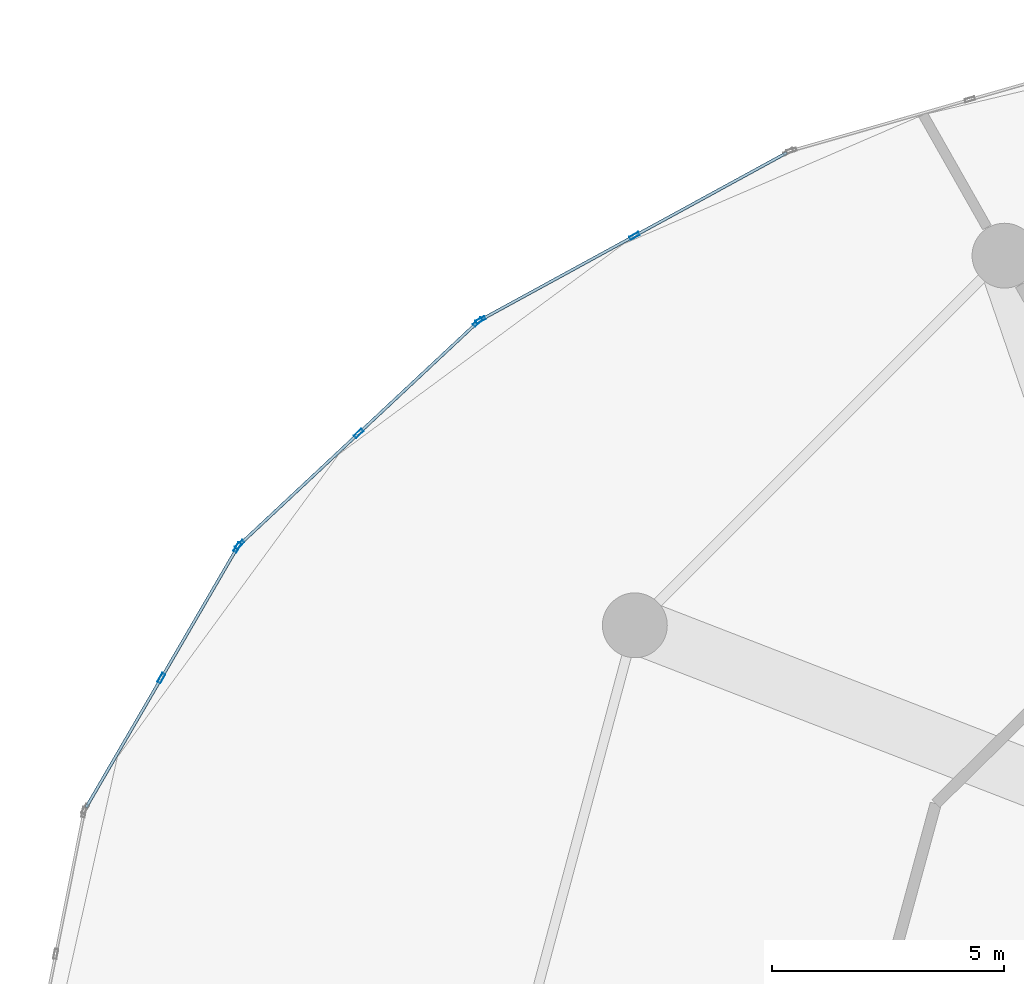
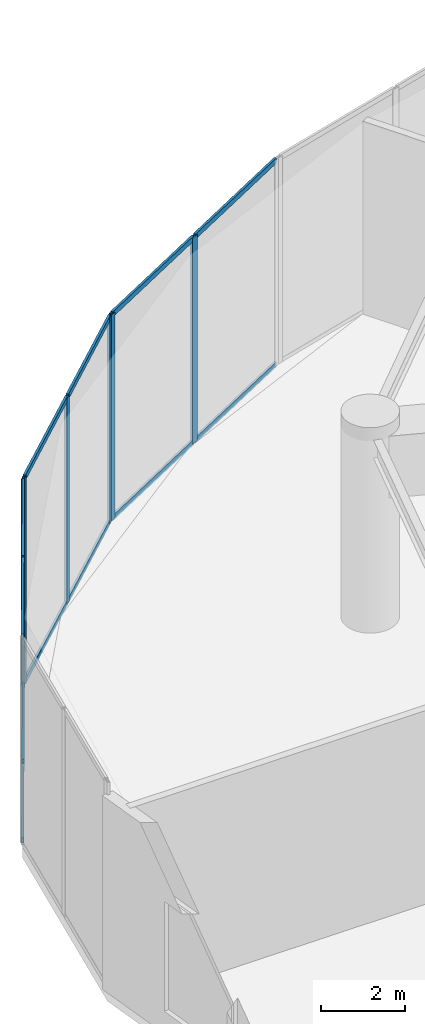
# One storey, part 14 of 28: 19 members, 3 elements without a shape of their own.
"""IFC4 building model written with IfcOpenShell, lengths in metres."""

import ifcopenshell
import ifcopenshell.guid

model = None  # the IFC model being written
_history = None  # IfcOwnerHistory: only IFC2X3 demands one
_inside = {}  # id of a spatial element -> (the spatial element, [elements in it])
_under = {}  # id of a project, library or spatial element -> (it, [spatial elements below it])
_declared = {}  # id of a project -> (the project, [libraries it declares])
_typed = {}  # id of a type object -> (the type object, [elements of that type])
_made_of = {}  # id of a material, layer set ... -> (it, [elements and type objects made of it])


def new_model(schema):
    """Start an empty IFC model of exactly this schema.

    Asked for "IFC4X3", IfcOpenShell would pick the latest addendum, in which some entities
    have other attributes; the version numbers below select the first issue.
    IFC2X3 requires an IfcOwnerHistory on every rooted entity: one is made here for all.
    """
    global model, _history
    if schema == "IFC4X3":
        model = ifcopenshell.file(schema_version=(4, 3, 0, 0))
    else:
        model = ifcopenshell.file(schema=schema)
    _inside.clear()
    _under.clear()
    _declared.clear()
    _typed.clear()
    _made_of.clear()
    _history = None
    if model.schema == "IFC2X3":
        org = make("IfcOrganization", Name="unknown")
        user = make(
            "IfcPersonAndOrganization",
            ThePerson=make("IfcPerson", FamilyName="unknown"),
            TheOrganization=org,
        )
        app = make(
            "IfcApplication",
            ApplicationDeveloper=org,
            Version="unknown",
            ApplicationFullName="unknown",
            ApplicationIdentifier="unknown",
        )
        _history = make(
            "IfcOwnerHistory",
            OwningUser=user,
            OwningApplication=app,
            ChangeAction="ADDED",
            CreationDate=0,
        )
    return model


def make(cls, **values):
    """One entity of the class cls with the attributes given. An attribute that is None is left unset."""
    return model.create_entity(
        cls, **{name: value for name, value in values.items() if value is not None}
    )


def rooted(cls, **values):
    """An entity with a GlobalId (a new one), such as an element, a storey or a relation."""
    return make(cls, GlobalId=ifcopenshell.guid.new(), OwnerHistory=_history, **values)


def si_unit(unit_type, name, prefix=None):
    """IfcSIUnit, for example si_unit("LENGTHUNIT", "METRE", prefix="MILLI")."""
    return make("IfcSIUnit", UnitType=unit_type, Prefix=prefix, Name=name)


def assignment(units):
    """IfcUnitAssignment: the units of a project."""
    return None if units is None else make("IfcUnitAssignment", Units=units)


def point(xyz):
    """IfcCartesianPoint."""
    return None if xyz is None else make("IfcCartesianPoint", Coordinates=xyz)


def direction(xyz):
    """IfcDirection."""
    return None if xyz is None else make("IfcDirection", DirectionRatios=xyz)


def frame(location, z_axis=None, x_axis=None):
    """IfcAxis2Placement3D, a coordinate frame: its origin and axes. An axis left out is left unset."""
    return make(
        "IfcAxis2Placement3D",
        Location=point(location),
        Axis=direction(z_axis),
        RefDirection=direction(x_axis),
    )


def frame_2d(location, x_axis=None):
    """IfcAxis2Placement2D, a coordinate frame in the plane: its origin and x axis."""
    return make(
        "IfcAxis2Placement2D", Location=point(location), RefDirection=direction(x_axis)
    )


def origin():
    """The frame at (0, 0, 0) with its axes left unset."""
    return frame((0.0, 0.0, 0.0))


def origin_2d():
    """The frame at (0, 0) in the plane with its x axis left unset."""
    return frame_2d((0.0, 0.0))


def place(relative_to, where):
    """IfcLocalPlacement: puts the frame where relative to a parent placement (None: the world)."""
    return make(
        "IfcLocalPlacement", PlacementRelTo=relative_to, RelativePlacement=where
    )


def context(
    kind, dimensions, precision=None, world=None, true_north=None, identifier=None
):
    """IfcGeometricRepresentationContext, for example the 3D "Model" context."""
    return make(
        "IfcGeometricRepresentationContext",
        ContextIdentifier=identifier,
        ContextType=kind,
        CoordinateSpaceDimension=dimensions,
        Precision=precision,
        WorldCoordinateSystem=world,
        TrueNorth=true_north,
    )


def subcontext(parent, identifier, kind, view, scale=None):
    """IfcGeometricRepresentationSubContext, for example "Body" below "Model"."""
    return make(
        "IfcGeometricRepresentationSubContext",
        ContextIdentifier=identifier,
        ContextType=kind,
        ParentContext=parent,
        TargetScale=scale,
        TargetView=view,
    )


def project(units=None, contexts=None):
    """IfcProject with its units and contexts."""
    return rooted(
        "IfcProject",
        Name="project",
        RepresentationContexts=contexts,
        UnitsInContext=assignment(units),
    )


def spatial(cls, under=None, at=None, **own):
    """A site, building, storey or space (cls), placed at a placement, below another one or the project."""
    s = rooted(cls, ObjectPlacement=at, **own)
    if under is not None:
        _under.setdefault(under.id(), (under, []))[1].append(s)
    return s


def profile(cls, at=None, kind="AREA", **sizes):
    """A parametric profile (cls). Its sizes go by their IFC names, for example OverallWidth=200.0."""
    return make(cls, ProfileType=kind, Position=at, **sizes)


def hollow_rectangle(**sizes):
    """IfcRectangleHollowProfileDef."""
    return profile("IfcRectangleHollowProfileDef", **sizes)


def extrude(swept, where, along, depth):
    """IfcExtrudedAreaSolid: the profile swept, set in the frame where, extruded along a direction by depth."""
    return make(
        "IfcExtrudedAreaSolid",
        SweptArea=swept,
        Position=where,
        ExtrudedDirection=direction(along),
        Depth=depth,
    )


def shape(context_of_items, identifier, shape_type, items):
    """IfcShapeRepresentation: the items that make up one representation, for example the "Body"."""
    return make(
        "IfcShapeRepresentation",
        ContextOfItems=context_of_items,
        RepresentationIdentifier=identifier,
        RepresentationType=shape_type,
        Items=items,
    )


def source(mapping_origin, context_of_items, identifier, shape_type, items):
    """IfcRepresentationMap: a shape defined once, which mapped items show again and again."""
    return make(
        "IfcRepresentationMap",
        MappingOrigin=mapping_origin,
        MappedRepresentation=shape(context_of_items, identifier, shape_type, items),
    )


def transform(
    local_origin,
    x_axis=None,
    y_axis=None,
    z_axis=None,
    scale=None,
    scale2=None,
    scale3=None,
    uniform=True,
):
    """IfcCartesianTransformationOperator3D, or its non-uniform kind. x_axis, y_axis, z_axis: its Axis1, 2, 3."""
    if uniform:
        return make(
            "IfcCartesianTransformationOperator3D",
            Axis1=direction(x_axis),
            Axis2=direction(y_axis),
            LocalOrigin=point(local_origin),
            Scale=scale,
            Axis3=direction(z_axis),
        )
    return make(
        "IfcCartesianTransformationOperator3DnonUniform",
        Axis1=direction(x_axis),
        Axis2=direction(y_axis),
        LocalOrigin=point(local_origin),
        Scale=scale,
        Axis3=direction(z_axis),
        Scale2=scale2,
        Scale3=scale3,
    )


def mapped(mapping_source, mapping_target):
    """IfcMappedItem: shows the shape of a source again, moved by a transform."""
    return make(
        "IfcMappedItem", MappingSource=mapping_source, MappingTarget=mapping_target
    )


def material(Name=None, Category=None):
    """IfcMaterial."""
    return make("IfcMaterial", Name=Name, Category=Category)


def layer(
    of_material, thickness, ventilated=None, Name=None, Category=None, Priority=None
):
    """IfcMaterialLayer: one layer of a wall or slab, of a material (None: an air gap)."""
    return make(
        "IfcMaterialLayer",
        Material=of_material,
        LayerThickness=thickness,
        IsVentilated=ventilated,
        Name=Name,
        Category=Category,
        Priority=Priority,
    )


def layer_set(layers, Name=None):
    """IfcMaterialLayerSet."""
    return make("IfcMaterialLayerSet", MaterialLayers=layers, LayerSetName=Name)


def material_profile(
    of_material, cross_section, Name=None, Category=None, Priority=None
):
    """IfcMaterialProfile: a cross section and its material."""
    return make(
        "IfcMaterialProfile",
        Name=Name,
        Material=of_material,
        Profile=cross_section,
        Priority=Priority,
        Category=Category,
    )


def profile_set(profiles, Name=None, composite=None):
    """IfcMaterialProfileSet."""
    return make(
        "IfcMaterialProfileSet",
        Name=Name,
        MaterialProfiles=profiles,
        CompositeProfile=composite,
    )


def made_of(thing, what):
    """Note that an element or type object is made of a material, layer set ...; save() writes the relation."""
    if what is not None:
        _made_of.setdefault(what.id(), (what, []))[1].append(thing)
    return thing


def type_object(cls, material=None, **own):
    """A type object (cls), such as IfcWallType, which elements share."""
    return made_of(rooted(cls, **own), material)


def element(
    cls,
    number,
    at=None,
    inside=None,
    cuts=None,
    type_object=None,
    material=None,
    context=None,
    identifier="Body",
    shape_type=None,
    held_by="IfcProductDefinitionShape",
    body=None,
    shapes=None,
    **own,
):
    """One element of the class cls, such as IfcWall. Its Tag is "e" and its number.

    at: its placement. inside: the storey or other place that contains it. cuts: it is an
    opening in that element (IfcRelVoidsElement). A single representation is given by context,
    identifier, shape_type and body (its items); several are given by shapes. held_by: the class
    of the entity that holds the representations. save() writes the other relations.
    """
    e = rooted(cls, Tag="e%d" % number, ObjectPlacement=at, **own)
    if body is not None:
        shapes = [shape(context, identifier, shape_type, body)]
    if shapes is not None:
        e.Representation = make(held_by, Representations=shapes)
    if inside is not None:
        _inside.setdefault(inside.id(), (inside, []))[1].append(e)
    if cuts is not None:
        rooted(
            "IfcRelVoidsElement", RelatingBuildingElement=cuts, RelatedOpeningElement=e
        )
    if type_object is not None:
        _typed.setdefault(type_object.id(), (type_object, []))[1].append(e)
    return made_of(e, material)


def aggregate(whole, parts):
    """IfcRelAggregates: a whole, such as a stair, and the parts it consists of."""
    return rooted("IfcRelAggregates", RelatingObject=whole, RelatedObjects=parts)


def save(model, path):
    """Write the relations noted so far, then the file.

    IfcRelAggregates (storeys below a building ...), IfcRelContainedInSpatialStructure (elements
    in a storey), IfcRelDefinesByType, IfcRelAssociatesMaterial and IfcRelDeclares: one each for
    every whole, place, type object, material and project.
    """
    for whole, parts in _under.values():
        aggregate(whole, parts)
    for where, things in _inside.values():
        rooted(
            "IfcRelContainedInSpatialStructure",
            RelatedElements=things,
            RelatingStructure=where,
        )
    for kind, things in _typed.values():
        rooted("IfcRelDefinesByType", RelatedObjects=things, RelatingType=kind)
    for what, things in _made_of.values():
        rooted("IfcRelAssociatesMaterial", RelatedObjects=things, RelatingMaterial=what)
    for by, libraries in _declared.values():
        rooted("IfcRelDeclares", RelatingContext=by, RelatedDefinitions=libraries)
    model.write(path)


model = new_model("IFC4")

# Units and contexts
model_context = context("Model", 3, precision=1e-05, world=origin(), true_north=direction((0.0, 1.0)))
body_context = subcontext(model_context, "Body", "Model", "MODEL_VIEW")
ifc_project = project(units=[si_unit("LENGTHUNIT", "METRE"), si_unit("AREAUNIT", "SQUARE_METRE"), si_unit("VOLUMEUNIT", "CUBIC_METRE"), si_unit("PLANEANGLEUNIT", "RADIAN"), si_unit("MASSUNIT", "GRAM", prefix="KILO")], contexts=[model_context])

# Site, building, storey
site_placement = place(None, origin())
site = spatial("IfcSite", under=ifc_project, at=site_placement, CompositionType="ELEMENT")
building_placement = place(site_placement, origin())
building = spatial("IfcBuilding", under=site, at=building_placement, Name="Solvirekh Grand Hotel", CompositionType="ELEMENT")
storey_placement = place(building_placement, frame((0.0, 0.0, 12.60009765625)))
storey = spatial("IfcBuildingStorey", under=building, at=storey_placement, Name="L02", CompositionType="ELEMENT", Elevation=12.60009765625)

# Curtain wall, members
ifc_material = material(Name="Anodized Bronze Aluminium 6063-T6", Category="aluminium")
ifc_layer = layer(ifc_material, 0.219970703125)
ifc_layer_set = layer_set([ifc_layer], Name="Anodized Bronze Aluminium 6063-T6")
curtain_wall_type = type_object("IfcCurtainWallType", Name="CW_Sys1_PodiumBronzeUnitised", PredefinedType="NOTDEFINED", material=ifc_layer_set)
curtain_wall_1_placement = place(storey_placement, origin())
curtain_wall_1 = element("IfcCurtainWall", 1, at=curtain_wall_1_placement, inside=storey, type_object=curtain_wall_type, Name="L02 unitised bronze-glass curtain wall CW-L02-C10", PredefinedType="NOTDEFINED")
ifc_material_profile_1 = material_profile(ifc_material, hollow_rectangle(XDim=0.06494140625, YDim=0.14990234375, WallThickness=0.0048828125, at=origin_2d()), Name="ALU RHS 150X65X5")
ifc_profile_set_1 = profile_set([ifc_material_profile_1], Name="Anodized Bronze Aluminium 6063-T6")
member_type_1 = type_object("IfcMemberType", Name="CWTransom_Sys1", PredefinedType="USERDEFINED", material=ifc_profile_set_1)
shared_shape_1 = source(origin(), body_context, "Body", "SweptSolid", [
    extrude(hollow_rectangle(XDim=0.06494140625, YDim=0.14990234375, WallThickness=0.0048828125, at=origin_2d()), origin(), (0.0, 0.0, 1.0), 3.443115234375),
])
member_1_placement = place(storey_placement, frame((-22.2978515625, 17.4208984375, 0.032470703125), z_axis=(-0.730496178915, -0.682916783064, 0.0), x_axis=(0.682916783064, -0.730496178915, 0.0)))
member_1 = element("IfcMember", 2, at=member_1_placement, type_object=member_type_1, Name="U01 transom 1.1", ObjectType="TRANSOM", PredefinedType="USERDEFINED", context=body_context, shape_type="MappedRepresentation", body=[
    mapped(shared_shape_1, transform((0.0, 0.0, 0.0), x_axis=(1.0, 0.0, 0.0), y_axis=(0.0, 1.0, 0.0), z_axis=(0.0, 0.0, 1.0), scale=1.0)),
])
member_2_placement = place(storey_placement, frame((-22.2978515625, 17.4208984375, 5.96728515625), z_axis=(-0.730496178915, -0.682916783064, 0.0), x_axis=(0.682916783064, -0.730496178915, 0.0)))
member_2 = element("IfcMember", 3, at=member_2_placement, type_object=member_type_1, Name="U01 transom 1.2", ObjectType="TRANSOM", PredefinedType="USERDEFINED", context=body_context, shape_type="MappedRepresentation", body=[
    mapped(shared_shape_1, transform((0.0, 0.0, 0.0), x_axis=(1.0, 0.0, 0.0), y_axis=(0.0, 1.0, 0.0), z_axis=(0.0, 0.0, 1.0), scale=1.0)),
])
member_3_placement = place(storey_placement, frame((-24.867919921875, 15.018310546875, 0.032470703125), z_axis=(-0.73056461868, -0.682843567688, 0.0), x_axis=(0.682843567688, -0.73056461868, 0.0)))
member_3 = element("IfcMember", 4, at=member_3_placement, type_object=member_type_1, Name="U01 transom 2.1", ObjectType="TRANSOM", PredefinedType="USERDEFINED", context=body_context, shape_type="MappedRepresentation", body=[
    mapped(shared_shape_1, transform((0.0, 0.0, 0.0), x_axis=(1.0, 0.0, 0.0), y_axis=(0.0, 1.0, 0.0), z_axis=(0.0, 0.0, 1.0), scale=1.0)),
])
member_4_placement = place(storey_placement, frame((-24.867919921875, 15.018310546875, 5.96728515625), z_axis=(-0.73056461868, -0.682843567688, 0.0), x_axis=(0.682843567688, -0.73056461868, 0.0)))
member_4 = element("IfcMember", 5, at=member_4_placement, type_object=member_type_1, Name="U01 transom 2.2", ObjectType="TRANSOM", PredefinedType="USERDEFINED", context=body_context, shape_type="MappedRepresentation", body=[
    mapped(shared_shape_1, transform((0.0, 0.0, 0.0), x_axis=(1.0, 0.0, 0.0), y_axis=(0.0, 1.0, 0.0), z_axis=(0.0, 0.0, 1.0), scale=1.0)),
])

curtain_wall_2_placement = place(storey_placement, origin())
curtain_wall_2 = element("IfcCurtainWall", 6, at=curtain_wall_2_placement, inside=storey, type_object=curtain_wall_type, Name="L02 unitised bronze-glass curtain wall CW-L02-C09", PredefinedType="NOTDEFINED")
shared_shape_2 = source(origin(), body_context, "Body", "SweptSolid", [
    extrude(hollow_rectangle(XDim=0.06494140625, YDim=0.14990234375, WallThickness=0.0048828125, at=origin_2d()), origin(), (0.0, 0.0, 1.0), 3.710693359375),
])
member_5_placement = place(storey_placement, frame((-15.597900390625, 21.10107421875, 0.032470703125), z_axis=(-0.877641488557, -0.479317658306, 0.0), x_axis=(0.479317658306, -0.877641488557, 0.0)))
member_5 = element("IfcMember", 7, at=member_5_placement, type_object=member_type_1, Name="U01 transom 1.1", ObjectType="TRANSOM", PredefinedType="USERDEFINED", context=body_context, shape_type="MappedRepresentation", body=[
    mapped(shared_shape_2, transform((0.0, 0.0, 0.0), x_axis=(1.0, 0.0, 0.0), y_axis=(0.0, 1.0, 0.0), z_axis=(0.0, 0.0, 1.0), scale=1.0)),
])
member_6_placement = place(storey_placement, frame((-15.597900390625, 21.10107421875, 5.96728515625), z_axis=(-0.877641488557, -0.479317658306, 0.0), x_axis=(0.479317658306, -0.877641488557, 0.0)))
member_6 = element("IfcMember", 8, at=member_6_placement, type_object=member_type_1, Name="U01 transom 1.2", ObjectType="TRANSOM", PredefinedType="USERDEFINED", context=body_context, shape_type="MappedRepresentation", body=[
    mapped(shared_shape_2, transform((0.0, 0.0, 0.0), x_axis=(1.0, 0.0, 0.0), y_axis=(0.0, 1.0, 0.0), z_axis=(0.0, 0.0, 1.0), scale=1.0)),
])
ifc_material_profile_2 = material_profile(ifc_material, hollow_rectangle(XDim=0.074951171875, YDim=0.219970703125, WallThickness=0.006103515625, at=origin_2d()), Name="ALU RHS 220X75X6")
ifc_profile_set_2 = profile_set([ifc_material_profile_2], Name="Anodized Bronze Aluminium 6063-T6")
member_type_2 = type_object("IfcMemberType", Name="CWMullion_Sys1", PredefinedType="MULLION", material=ifc_profile_set_2)
shared_shape_3 = source(origin(), body_context, "Body", "SweptSolid", [
    extrude(hollow_rectangle(XDim=0.074951171875, YDim=0.219970703125, WallThickness=0.006103515625, at=origin_2d()), origin(), (0.0, 0.0, 1.0), 6.0),
])
member_7_placement = place(storey_placement, frame((-18.887451171875, 19.304443359375, 0.0), z_axis=(0.0, 0.0, 1.0), x_axis=(0.479301044448, -0.877650561893, 0.0)))
member_7 = element("IfcMember", 9, at=member_7_placement, type_object=member_type_2, Name="U01 mullion 2", PredefinedType="MULLION", context=body_context, shape_type="MappedRepresentation", body=[
    mapped(shared_shape_3, transform((0.0, 0.0, 0.0), x_axis=(1.0, 0.0, 0.0), y_axis=(0.0, 1.0, 0.0), z_axis=(0.0, 0.0, 1.0), scale=1.0)),
])
member_8_placement = place(storey_placement, frame((-22.210205078125, 17.489990234375, 0.0), z_axis=(0.0, 0.0, 1.0), x_axis=(0.479301044448, -0.877650561893, 0.0)))
member_8 = element("IfcMember", 10, at=member_8_placement, type_object=member_type_2, Name="U01 mullion 3", PredefinedType="MULLION", context=body_context, shape_type="MappedRepresentation", body=[
    mapped(shared_shape_3, transform((0.0, 0.0, 0.0), x_axis=(1.0, 0.0, 0.0), y_axis=(0.0, 1.0, 0.0), z_axis=(0.0, 0.0, 1.0), scale=1.0)),
])

# Member
member_9_placement = place(storey_placement, frame((-22.2705078125, 17.4462890625, 0.0), z_axis=(0.0, 0.0, 1.0), x_axis=(0.682869194888, -0.730540664627, 0.0)))
member_9 = element("IfcMember", 11, at=member_9_placement, type_object=member_type_2, Name="U01 mullion 1", PredefinedType="MULLION", context=body_context, shape_type="MappedRepresentation", body=[
    mapped(shared_shape_3, transform((0.0, 0.0, 0.0), x_axis=(1.0, 0.0, 0.0), y_axis=(0.0, 1.0, 0.0), z_axis=(0.0, 0.0, 1.0), scale=1.0)),
])

member_10_placement = place(storey_placement, frame((-24.840576171875, 15.0439453125, 0.0), z_axis=(0.0, 0.0, 1.0), x_axis=(0.682869194888, -0.730540664627, 0.0)))
member_10 = element("IfcMember", 12, at=member_10_placement, type_object=member_type_2, Name="U01 mullion 2", PredefinedType="MULLION", context=body_context, shape_type="MappedRepresentation", body=[
    mapped(shared_shape_3, transform((0.0, 0.0, 0.0), x_axis=(1.0, 0.0, 0.0), y_axis=(0.0, 1.0, 0.0), z_axis=(0.0, 0.0, 1.0), scale=1.0)),
])

member_11_placement = place(storey_placement, frame((-27.41064453125, 12.6416015625, 0.0), z_axis=(0.0, 0.0, 1.0), x_axis=(0.682869194888, -0.730540664627, 0.0)))
member_11 = element("IfcMember", 13, at=member_11_placement, type_object=member_type_2, Name="U01 mullion 3", PredefinedType="MULLION", context=body_context, shape_type="MappedRepresentation", body=[
    mapped(shared_shape_3, transform((0.0, 0.0, 0.0), x_axis=(1.0, 0.0, 0.0), y_axis=(0.0, 1.0, 0.0), z_axis=(0.0, 0.0, 1.0), scale=1.0)),
])

aggregate(curtain_wall_1, [member_9, member_10, member_11, member_1, member_2, member_3, member_4])

# Curtain wall, members
curtain_wall_3_placement = place(storey_placement, origin())
curtain_wall_3 = element("IfcCurtainWall", 14, at=curtain_wall_3_placement, inside=storey, type_object=curtain_wall_type, Name="L02 unitised bronze-glass curtain wall CW-L02-C11", PredefinedType="NOTDEFINED")
member_12_placement = place(storey_placement, frame((-27.456787109375, 12.58349609375, 0.0), z_axis=(0.0, 0.0, 1.0), x_axis=(0.864354314158, -0.502883306143, 0.0)))
member_12 = element("IfcMember", 15, at=member_12_placement, type_object=member_type_2, Name="U01 mullion 1", PredefinedType="MULLION", context=body_context, shape_type="MappedRepresentation", body=[
    mapped(shared_shape_3, transform((0.0, 0.0, 0.0), x_axis=(1.0, 0.0, 0.0), y_axis=(0.0, 1.0, 0.0), z_axis=(0.0, 0.0, 1.0), scale=1.0)),
])
member_13_placement = place(storey_placement, frame((-29.1005859375, 9.758544921875, 0.0), z_axis=(0.0, 0.0, 1.0), x_axis=(0.864354314158, -0.502883306143, 0.0)))
member_13 = element("IfcMember", 16, at=member_13_placement, type_object=member_type_2, Name="U01 mullion 2", PredefinedType="MULLION", context=body_context, shape_type="MappedRepresentation", body=[
    mapped(shared_shape_3, transform((0.0, 0.0, 0.0), x_axis=(1.0, 0.0, 0.0), y_axis=(0.0, 1.0, 0.0), z_axis=(0.0, 0.0, 1.0), scale=1.0)),
])

# Member
shared_shape_4 = source(origin(), body_context, "Body", "SweptSolid", [
    extrude(hollow_rectangle(XDim=0.06494140625, YDim=0.14990234375, WallThickness=0.0048828125, at=origin_2d()), origin(), (0.0, 0.0, 1.0), 3.7109375),
])
member_14_placement = place(storey_placement, frame((-18.92041015625, 19.28662109375, 0.032470703125), z_axis=(-0.877656603382, -0.479289981682, 0.0), x_axis=(0.479289981682, -0.877656603382, 0.0)))
member_14 = element("IfcMember", 17, at=member_14_placement, type_object=member_type_1, Name="U01 transom 2.1", ObjectType="TRANSOM", PredefinedType="USERDEFINED", context=body_context, shape_type="MappedRepresentation", body=[
    mapped(shared_shape_4, transform((0.0, 0.0, 0.0), x_axis=(1.0, 0.0, 0.0), y_axis=(0.0, 1.0, 0.0), z_axis=(0.0, 0.0, 1.0), scale=1.0)),
])

member_15_placement = place(storey_placement, frame((-18.92041015625, 19.28662109375, 5.96728515625), z_axis=(-0.877656603382, -0.479289981682, 0.0), x_axis=(0.479289981682, -0.877656603382, 0.0)))
member_15 = element("IfcMember", 18, at=member_15_placement, type_object=member_type_1, Name="U01 transom 2.2", ObjectType="TRANSOM", PredefinedType="USERDEFINED", context=body_context, shape_type="MappedRepresentation", body=[
    mapped(shared_shape_4, transform((0.0, 0.0, 0.0), x_axis=(1.0, 0.0, 0.0), y_axis=(0.0, 1.0, 0.0), z_axis=(0.0, 0.0, 1.0), scale=1.0)),
])

aggregate(curtain_wall_2, [member_7, member_8, member_5, member_6, member_14, member_15])

shared_shape_5 = source(origin(), body_context, "Body", "SweptSolid", [
    extrude(hollow_rectangle(XDim=0.06494140625, YDim=0.14990234375, WallThickness=0.0048828125, at=origin_2d()), origin(), (0.0, 0.0, 1.0), 3.193359375),
])
member_16_placement = place(storey_placement, frame((-27.475830078125, 12.55126953125, 0.032470703125), z_axis=(-0.50283438187, -0.864382776558, 0.0), x_axis=(0.864382776558, -0.50283438187, 0.0)))
member_16 = element("IfcMember", 19, at=member_16_placement, type_object=member_type_1, Name="U01 transom 1.1", ObjectType="TRANSOM", PredefinedType="USERDEFINED", context=body_context, shape_type="MappedRepresentation", body=[
    mapped(shared_shape_5, transform((0.0, 0.0, 0.0), x_axis=(1.0, 0.0, 0.0), y_axis=(0.0, 1.0, 0.0), z_axis=(0.0, 0.0, 1.0), scale=1.0)),
])

member_17_placement = place(storey_placement, frame((-27.475830078125, 12.55126953125, 5.96728515625), z_axis=(-0.50283438187, -0.864382776558, 0.0), x_axis=(0.864382776558, -0.50283438187, 0.0)))
member_17 = element("IfcMember", 20, at=member_17_placement, type_object=member_type_1, Name="U01 transom 1.2", ObjectType="TRANSOM", PredefinedType="USERDEFINED", context=body_context, shape_type="MappedRepresentation", body=[
    mapped(shared_shape_5, transform((0.0, 0.0, 0.0), x_axis=(1.0, 0.0, 0.0), y_axis=(0.0, 1.0, 0.0), z_axis=(0.0, 0.0, 1.0), scale=1.0)),
])

member_18_placement = place(storey_placement, frame((-29.119384765625, 9.72607421875, 0.032470703125), z_axis=(-0.502891501356, -0.864349546112, 0.0), x_axis=(0.864349546112, -0.502891501356, 0.0)))
member_18 = element("IfcMember", 21, at=member_18_placement, type_object=member_type_1, Name="U01 transom 2.1", ObjectType="TRANSOM", PredefinedType="USERDEFINED", context=body_context, shape_type="MappedRepresentation", body=[
    mapped(shared_shape_5, transform((0.0, 0.0, 0.0), x_axis=(1.0, 0.0, 0.0), y_axis=(0.0, 1.0, 0.0), z_axis=(0.0, 0.0, 1.0), scale=1.0)),
])

member_19_placement = place(storey_placement, frame((-29.119384765625, 9.72607421875, 5.96728515625), z_axis=(-0.502891501356, -0.864349546112, 0.0), x_axis=(0.864349546112, -0.502891501356, 0.0)))
member_19 = element("IfcMember", 22, at=member_19_placement, type_object=member_type_1, Name="U01 transom 2.2", ObjectType="TRANSOM", PredefinedType="USERDEFINED", context=body_context, shape_type="MappedRepresentation", body=[
    mapped(shared_shape_5, transform((0.0, 0.0, 0.0), x_axis=(1.0, 0.0, 0.0), y_axis=(0.0, 1.0, 0.0), z_axis=(0.0, 0.0, 1.0), scale=1.0)),
])

aggregate(curtain_wall_3, [member_12, member_13, member_16, member_17, member_18, member_19])

save(model, "model.ifc")
